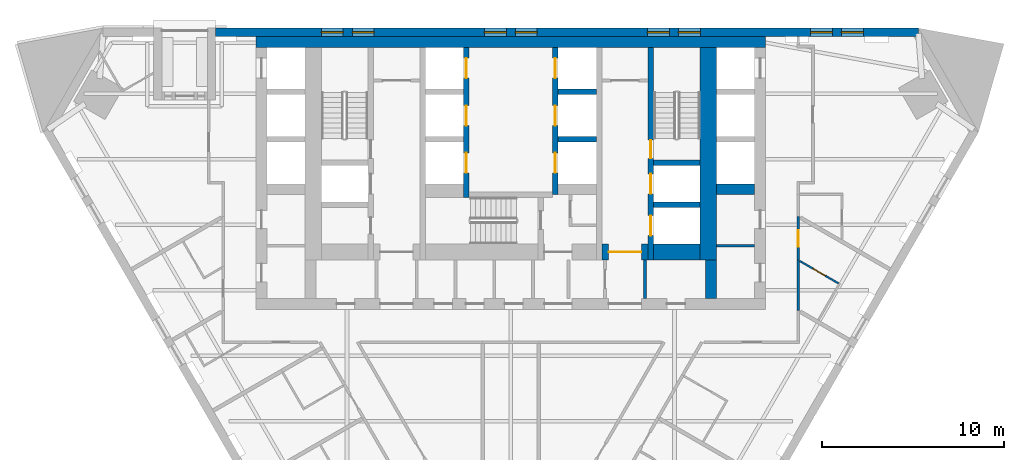
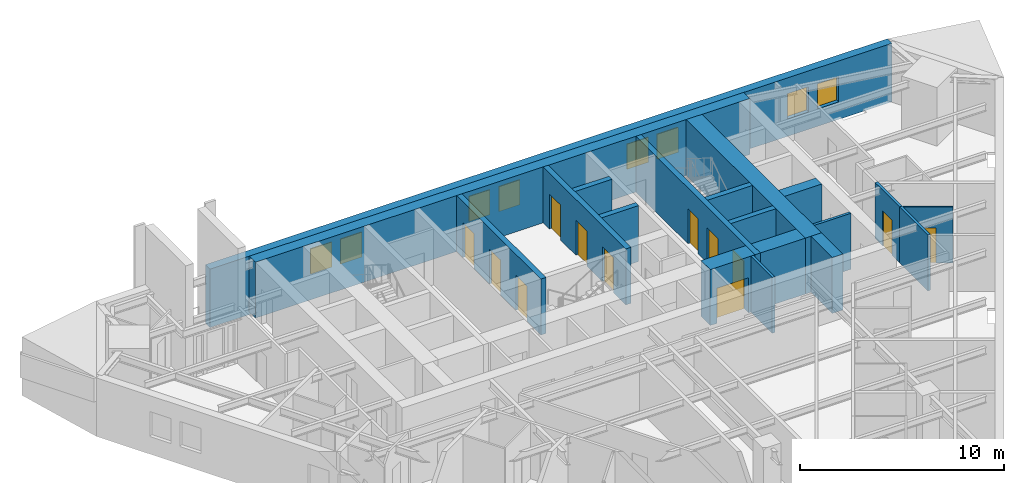
# One storey, part 7 of 10: 19 walls, 12 doors, 8 windows, 20 openings.
"""IFC4 building model written with IfcOpenShell, lengths in metres."""

import ifcopenshell
import ifcopenshell.guid

model = None  # the IFC model being written
_history = None  # IfcOwnerHistory: only IFC2X3 demands one
_inside = {}  # id of a spatial element -> (the spatial element, [elements in it])
_under = {}  # id of a project, library or spatial element -> (it, [spatial elements below it])
_declared = {}  # id of a project -> (the project, [libraries it declares])
_typed = {}  # id of a type object -> (the type object, [elements of that type])
_made_of = {}  # id of a material, layer set ... -> (it, [elements and type objects made of it])


def new_model(schema):
    """Start an empty IFC model of exactly this schema.

    Asked for "IFC4X3", IfcOpenShell would pick the latest addendum, in which some entities
    have other attributes; the version numbers below select the first issue.
    IFC2X3 requires an IfcOwnerHistory on every rooted entity: one is made here for all.
    """
    global model, _history
    if schema == "IFC4X3":
        model = ifcopenshell.file(schema_version=(4, 3, 0, 0))
    else:
        model = ifcopenshell.file(schema=schema)
    _inside.clear()
    _under.clear()
    _declared.clear()
    _typed.clear()
    _made_of.clear()
    _history = None
    if model.schema == "IFC2X3":
        org = make("IfcOrganization", Name="unknown")
        user = make(
            "IfcPersonAndOrganization",
            ThePerson=make("IfcPerson", FamilyName="unknown"),
            TheOrganization=org,
        )
        app = make(
            "IfcApplication",
            ApplicationDeveloper=org,
            Version="unknown",
            ApplicationFullName="unknown",
            ApplicationIdentifier="unknown",
        )
        _history = make(
            "IfcOwnerHistory",
            OwningUser=user,
            OwningApplication=app,
            ChangeAction="ADDED",
            CreationDate=0,
        )
    return model


def make(cls, **values):
    """One entity of the class cls with the attributes given. An attribute that is None is left unset."""
    return model.create_entity(
        cls, **{name: value for name, value in values.items() if value is not None}
    )


def rooted(cls, **values):
    """An entity with a GlobalId (a new one), such as an element, a storey or a relation."""
    return make(cls, GlobalId=ifcopenshell.guid.new(), OwnerHistory=_history, **values)


def si_unit(unit_type, name, prefix=None):
    """IfcSIUnit, for example si_unit("LENGTHUNIT", "METRE", prefix="MILLI")."""
    return make("IfcSIUnit", UnitType=unit_type, Prefix=prefix, Name=name)


def assignment(units):
    """IfcUnitAssignment: the units of a project."""
    return None if units is None else make("IfcUnitAssignment", Units=units)


def point(xyz):
    """IfcCartesianPoint."""
    return None if xyz is None else make("IfcCartesianPoint", Coordinates=xyz)


def direction(xyz):
    """IfcDirection."""
    return None if xyz is None else make("IfcDirection", DirectionRatios=xyz)


def frame(location, z_axis=None, x_axis=None):
    """IfcAxis2Placement3D, a coordinate frame: its origin and axes. An axis left out is left unset."""
    return make(
        "IfcAxis2Placement3D",
        Location=point(location),
        Axis=direction(z_axis),
        RefDirection=direction(x_axis),
    )


def frame_2d(location, x_axis=None):
    """IfcAxis2Placement2D, a coordinate frame in the plane: its origin and x axis."""
    return make(
        "IfcAxis2Placement2D", Location=point(location), RefDirection=direction(x_axis)
    )


def origin():
    """The frame at (0, 0, 0) with its axes left unset."""
    return frame((0.0, 0.0, 0.0))


def place(relative_to, where):
    """IfcLocalPlacement: puts the frame where relative to a parent placement (None: the world)."""
    return make(
        "IfcLocalPlacement", PlacementRelTo=relative_to, RelativePlacement=where
    )


def context(
    kind, dimensions, precision=None, world=None, true_north=None, identifier=None
):
    """IfcGeometricRepresentationContext, for example the 3D "Model" context."""
    return make(
        "IfcGeometricRepresentationContext",
        ContextIdentifier=identifier,
        ContextType=kind,
        CoordinateSpaceDimension=dimensions,
        Precision=precision,
        WorldCoordinateSystem=world,
        TrueNorth=true_north,
    )


def subcontext(parent, identifier, kind, view, scale=None):
    """IfcGeometricRepresentationSubContext, for example "Body" below "Model"."""
    return make(
        "IfcGeometricRepresentationSubContext",
        ContextIdentifier=identifier,
        ContextType=kind,
        ParentContext=parent,
        TargetScale=scale,
        TargetView=view,
    )


def project(units=None, contexts=None):
    """IfcProject with its units and contexts."""
    return rooted(
        "IfcProject",
        Name="project",
        RepresentationContexts=contexts,
        UnitsInContext=assignment(units),
    )


def spatial(cls, under=None, at=None, **own):
    """A site, building, storey or space (cls), placed at a placement, below another one or the project."""
    s = rooted(cls, ObjectPlacement=at, **own)
    if under is not None:
        _under.setdefault(under.id(), (under, []))[1].append(s)
    return s


def polyline(points):
    """IfcPolyline through the points."""
    return make("IfcPolyline", Points=[point(p) for p in points])


def profile(cls, at=None, kind="AREA", **sizes):
    """A parametric profile (cls). Its sizes go by their IFC names, for example OverallWidth=200.0."""
    return make(cls, ProfileType=kind, Position=at, **sizes)


def rectangle(**sizes):
    """IfcRectangleProfileDef."""
    return profile("IfcRectangleProfileDef", **sizes)


def outline(outer, holes=None, kind="AREA"):
    """IfcArbitraryClosedProfileDef: a profile drawn as a closed curve; with holes, ...WithVoids."""
    if holes is None:
        return make("IfcArbitraryClosedProfileDef", ProfileType=kind, OuterCurve=outer)
    return make(
        "IfcArbitraryProfileDefWithVoids",
        ProfileType=kind,
        OuterCurve=outer,
        InnerCurves=holes,
    )


def extrude(swept, where, along, depth):
    """IfcExtrudedAreaSolid: the profile swept, set in the frame where, extruded along a direction by depth."""
    return make(
        "IfcExtrudedAreaSolid",
        SweptArea=swept,
        Position=where,
        ExtrudedDirection=direction(along),
        Depth=depth,
    )


def shape(context_of_items, identifier, shape_type, items):
    """IfcShapeRepresentation: the items that make up one representation, for example the "Body"."""
    return make(
        "IfcShapeRepresentation",
        ContextOfItems=context_of_items,
        RepresentationIdentifier=identifier,
        RepresentationType=shape_type,
        Items=items,
    )


def material(Name=None, Category=None):
    """IfcMaterial."""
    return make("IfcMaterial", Name=Name, Category=Category)


def layer(
    of_material, thickness, ventilated=None, Name=None, Category=None, Priority=None
):
    """IfcMaterialLayer: one layer of a wall or slab, of a material (None: an air gap)."""
    return make(
        "IfcMaterialLayer",
        Material=of_material,
        LayerThickness=thickness,
        IsVentilated=ventilated,
        Name=Name,
        Category=Category,
        Priority=Priority,
    )


def layer_set(layers, Name=None):
    """IfcMaterialLayerSet."""
    return make("IfcMaterialLayerSet", MaterialLayers=layers, LayerSetName=Name)


def made_of(thing, what):
    """Note that an element or type object is made of a material, layer set ...; save() writes the relation."""
    if what is not None:
        _made_of.setdefault(what.id(), (what, []))[1].append(thing)
    return thing


def type_object(cls, material=None, **own):
    """A type object (cls), such as IfcWallType, which elements share."""
    return made_of(rooted(cls, **own), material)


def element(
    cls,
    number,
    at=None,
    inside=None,
    cuts=None,
    type_object=None,
    material=None,
    context=None,
    identifier="Body",
    shape_type=None,
    held_by="IfcProductDefinitionShape",
    body=None,
    shapes=None,
    **own,
):
    """One element of the class cls, such as IfcWall. Its Tag is "e" and its number.

    at: its placement. inside: the storey or other place that contains it. cuts: it is an
    opening in that element (IfcRelVoidsElement). A single representation is given by context,
    identifier, shape_type and body (its items); several are given by shapes. held_by: the class
    of the entity that holds the representations. save() writes the other relations.
    """
    e = rooted(cls, Tag="e%d" % number, ObjectPlacement=at, **own)
    if body is not None:
        shapes = [shape(context, identifier, shape_type, body)]
    if shapes is not None:
        e.Representation = make(held_by, Representations=shapes)
    if inside is not None:
        _inside.setdefault(inside.id(), (inside, []))[1].append(e)
    if cuts is not None:
        rooted(
            "IfcRelVoidsElement", RelatingBuildingElement=cuts, RelatedOpeningElement=e
        )
    if type_object is not None:
        _typed.setdefault(type_object.id(), (type_object, []))[1].append(e)
    return made_of(e, material)


def fill(opening, filler):
    """IfcRelFillsElement: the door or window that sits in an opening."""
    return rooted(
        "IfcRelFillsElement",
        RelatingOpeningElement=opening,
        RelatedBuildingElement=filler,
    )


def aggregate(whole, parts):
    """IfcRelAggregates: a whole, such as a stair, and the parts it consists of."""
    return rooted("IfcRelAggregates", RelatingObject=whole, RelatedObjects=parts)


def save(model, path):
    """Write the relations noted so far, then the file.

    IfcRelAggregates (storeys below a building ...), IfcRelContainedInSpatialStructure (elements
    in a storey), IfcRelDefinesByType, IfcRelAssociatesMaterial and IfcRelDeclares: one each for
    every whole, place, type object, material and project.
    """
    for whole, parts in _under.values():
        aggregate(whole, parts)
    for where, things in _inside.values():
        rooted(
            "IfcRelContainedInSpatialStructure",
            RelatedElements=things,
            RelatingStructure=where,
        )
    for kind, things in _typed.values():
        rooted("IfcRelDefinesByType", RelatedObjects=things, RelatingType=kind)
    for what, things in _made_of.values():
        rooted("IfcRelAssociatesMaterial", RelatedObjects=things, RelatingMaterial=what)
    for by, libraries in _declared.values():
        rooted("IfcRelDeclares", RelatingContext=by, RelatedDefinitions=libraries)
    model.write(path)


model = new_model("IFC4")

# Units and contexts
model_context = context("Model", 3, precision=1e-05, world=origin(), true_north=direction((0.0, 1.0)))
body_context = subcontext(model_context, "Body", "Model", "MODEL_VIEW")
ifc_project = project(units=[si_unit("LENGTHUNIT", "METRE"), si_unit("AREAUNIT", "SQUARE_METRE"), si_unit("VOLUMEUNIT", "CUBIC_METRE"), si_unit("PLANEANGLEUNIT", "RADIAN"), si_unit("MASSUNIT", "GRAM", prefix="KILO")], contexts=[model_context])

# Site, building, storey
site_placement = place(None, origin())
site = spatial("IfcSite", under=ifc_project, at=site_placement, CompositionType="ELEMENT")
building_placement = place(site_placement, origin())
building = spatial("IfcBuilding", under=site, at=building_placement, Name="Aloe Facet Convention Tower", CompositionType="ELEMENT")
storey_placement = place(building_placement, frame((0.0, 0.0, 45.5)))
storey = spatial("IfcBuildingStorey", under=building, at=storey_placement, Name="L09", CompositionType="ELEMENT", Elevation=45.5)

# Walls
ifc_material_1 = material(Name="Concrete blockwork partition", Category="masonry")
ifc_layer_1 = layer(ifc_material_1, 0.14990234375)
ifc_layer_set_1 = layer_set([ifc_layer_1], Name="CR-W-PART150")
wall_type_1 = type_object("IfcWallType", Name="CR-W-PART150", PredefinedType="PARTITIONING", material=ifc_layer_set_1)
wall_1_placement = place(storey_placement, frame((87.375, 122.25, 0.0), z_axis=(0.0, 0.0, 1.0), x_axis=(0.0, -1.0, 0.0)))
element("IfcWall", 1, at=wall_1_placement, inside=storey, type_object=wall_type_1, Name="Core partition L09-041", PredefinedType="PARTITIONING", context=body_context, shape_type="SweptSolid", body=[
    extrude(rectangle(XDim=2.10009765625, YDim=0.14990234375, at=frame_2d((1.050048828125, 0.0))), origin(), (0.0, 0.0, 1.0), 3.35009765625),
])
wall_2_placement = place(storey_placement, frame((91.300048828125, 123.048583984375, 0.0), z_axis=(0.0, 0.0, 1.0), x_axis=(1.0, 0.0, 0.0)))
element("IfcWall", 2, at=wall_2_placement, inside=storey, type_object=wall_type_1, Name="Core partition L09-051", PredefinedType="PARTITIONING", context=body_context, shape_type="SweptSolid", body=[
    extrude(rectangle(XDim=2.099853515625, YDim=0.14990234375, at=frame_2d((1.0498046875, 0.0))), origin(), (0.0, 0.0, 1.0), 3.35009765625),
])

# Wall, openings, doors
ifc_material_2 = material(Name="Concrete C80/95", Category="concrete")
ifc_layer_2 = layer(ifc_material_2, 0.300048828125)
ifc_layer_set_2 = layer_set([ifc_layer_2], Name="CR-W-RC300-C8095")
wall_type_2 = type_object("IfcWallType", Name="CR-W-RC300-C8095", PredefinedType="SOLIDWALL", material=ifc_layer_set_2)
wall_3_placement = place(storey_placement, frame((77.550048828125, 133.949951171875, 0.0), z_axis=(0.0, 0.0, 1.0), x_axis=(0.0, -1.0, 0.0)))
wall_3 = element("IfcWall", 3, at=wall_3_placement, inside=storey, type_object=wall_type_2, Name="Core wall L09-024", PredefinedType="SOLIDWALL", context=body_context, shape_type="SweptSolid", body=[
    extrude(rectangle(XDim=8.25, YDim=0.300048828125, at=frame_2d((4.125, 0.0))), origin(), (0.0, 0.0, 1.0), 3.35009765625),
])
opening_1_placement = place(wall_3_placement, frame((0.60009765625, 0.0, 0.0)))
opening_1 = element("IfcOpeningElement", 4, at=opening_1_placement, cuts=wall_3, Name="Opening LD-A1-L09", PredefinedType="OPENING", context=body_context, shape_type="SweptSolid", body=[
    extrude(rectangle(XDim=1.10009765625, YDim=2.10009765625, at=frame_2d((0.550048828125, 1.050048828125))), frame((0.0, 0.16015625, 0.0), z_axis=(0.0, -1.0, 0.0), x_axis=(1.0, 0.0, 0.0)), (0.0, 0.0, 1.0), 0.320068359375),
])
opening_2_placement = place(wall_3_placement, frame((3.199951171875, 0.0, 0.0)))
opening_2 = element("IfcOpeningElement", 5, at=opening_2_placement, cuts=wall_3, Name="Opening LD-A2-L09", PredefinedType="OPENING", context=body_context, shape_type="SweptSolid", body=[
    extrude(rectangle(XDim=1.10009765625, YDim=2.10009765625, at=frame_2d((0.550048828125, 1.050048828125))), frame((0.0, 0.16015625, 0.0), z_axis=(0.0, -1.0, 0.0), x_axis=(1.0, 0.0, 0.0)), (0.0, 0.0, 1.0), 0.320068359375),
])
opening_3_placement = place(wall_3_placement, frame((5.800048828125, 0.0, 0.0)))
opening_3 = element("IfcOpeningElement", 6, at=opening_3_placement, cuts=wall_3, Name="Opening LD-A3-L09", PredefinedType="OPENING", context=body_context, shape_type="SweptSolid", body=[
    extrude(rectangle(XDim=1.10009765625, YDim=2.10009765625, at=frame_2d((0.550048828125, 1.050048828125))), frame((0.0, 0.16015625, 0.0), z_axis=(0.0, -1.0, 0.0), x_axis=(1.0, 0.0, 0.0)), (0.0, 0.0, 1.0), 0.320068359375),
])
ifc_material_3 = material(Name="Stainless steel sliding landing door", Category="steel")
door_type_1 = type_object("IfcDoorType", Name="CR-LD-1100-FD60-RIGHT", OperationType="SLIDING_TO_RIGHT", PredefinedType="DOOR", material=ifc_material_3)
door_1_placement = place(opening_1_placement, origin())
door_1 = element("IfcDoor", 7, at=door_1_placement, inside=storey, type_object=door_type_1, Name="Landing door A1 L09", OperationType="SLIDING_TO_RIGHT", OverallHeight=2.10009765625, OverallWidth=1.10009765625, PredefinedType="DOOR", context=body_context, shape_type="SweptSolid", body=[
    extrude(rectangle(XDim=1.10009765625, YDim=2.10009765625, at=frame_2d((0.550048828125, 1.050048828125))), frame((0.0, 0.02490234375, 0.0), z_axis=(0.0, -1.0, 0.0), x_axis=(1.0, 0.0, 0.0)), (0.0, 0.0, 1.0), 0.050048828125),
])
fill(opening_1, door_1)
door_2_placement = place(opening_2_placement, origin())
door_2 = element("IfcDoor", 8, at=door_2_placement, inside=storey, type_object=door_type_1, Name="Landing door A2 L09", OperationType="SLIDING_TO_RIGHT", OverallHeight=2.10009765625, OverallWidth=1.10009765625, PredefinedType="DOOR", context=body_context, shape_type="SweptSolid", body=[
    extrude(rectangle(XDim=1.10009765625, YDim=2.10009765625, at=frame_2d((0.550048828125, 1.050048828125))), frame((0.0, 0.02490234375, 0.0), z_axis=(0.0, -1.0, 0.0), x_axis=(1.0, 0.0, 0.0)), (0.0, 0.0, 1.0), 0.050048828125),
])
fill(opening_2, door_2)
door_3_placement = place(opening_3_placement, origin())
door_3 = element("IfcDoor", 9, at=door_3_placement, inside=storey, type_object=door_type_1, Name="Landing door A3 L09", OperationType="SLIDING_TO_RIGHT", OverallHeight=2.10009765625, OverallWidth=1.10009765625, PredefinedType="DOOR", context=body_context, shape_type="SweptSolid", body=[
    extrude(rectangle(XDim=1.10009765625, YDim=2.10009765625, at=frame_2d((0.550048828125, 1.050048828125))), frame((0.0, 0.02490234375, 0.0), z_axis=(0.0, -1.0, 0.0), x_axis=(1.0, 0.0, 0.0)), (0.0, 0.0, 1.0), 0.050048828125),
])
fill(opening_3, door_3)

wall_4_placement = place(storey_placement, frame((82.449951171875, 133.949951171875, 0.0), z_axis=(0.0, 0.0, 1.0), x_axis=(0.0, -1.0, 0.0)))
wall_4 = element("IfcWall", 10, at=wall_4_placement, inside=storey, type_object=wall_type_2, Name="Core wall L09-030", PredefinedType="SOLIDWALL", context=body_context, shape_type="SweptSolid", body=[
    extrude(rectangle(XDim=8.099853515625, YDim=0.300048828125, at=frame_2d((4.0498046875, 0.0))), origin(), (0.0, 0.0, 1.0), 3.35009765625),
])
opening_4_placement = place(wall_4_placement, frame((0.60009765625, 0.0, 0.0)))
opening_4 = element("IfcOpeningElement", 11, at=opening_4_placement, cuts=wall_4, Name="Opening LD-A4-L09", PredefinedType="OPENING", context=body_context, shape_type="SweptSolid", body=[
    extrude(rectangle(XDim=1.10009765625, YDim=2.10009765625, at=frame_2d((0.550048828125, 1.050048828125))), frame((0.0, 0.16015625, 0.0), z_axis=(0.0, -1.0, 0.0), x_axis=(1.0, 0.0, 0.0)), (0.0, 0.0, 1.0), 0.320068359375),
])
opening_5_placement = place(wall_4_placement, frame((3.199951171875, 0.0, 0.0)))
opening_5 = element("IfcOpeningElement", 12, at=opening_5_placement, cuts=wall_4, Name="Opening LD-A5-L09", PredefinedType="OPENING", context=body_context, shape_type="SweptSolid", body=[
    extrude(rectangle(XDim=1.10009765625, YDim=2.10009765625, at=frame_2d((0.550048828125, 1.050048828125))), frame((0.0, 0.16015625, 0.0), z_axis=(0.0, -1.0, 0.0), x_axis=(1.0, 0.0, 0.0)), (0.0, 0.0, 1.0), 0.320068359375),
])
opening_6_placement = place(wall_4_placement, frame((5.800048828125, 0.0, 0.0)))
opening_6 = element("IfcOpeningElement", 13, at=opening_6_placement, cuts=wall_4, Name="Opening LD-A6-L09", PredefinedType="OPENING", context=body_context, shape_type="SweptSolid", body=[
    extrude(rectangle(XDim=1.10009765625, YDim=2.10009765625, at=frame_2d((0.550048828125, 1.050048828125))), frame((0.0, 0.16015625, 0.0), z_axis=(0.0, -1.0, 0.0), x_axis=(1.0, 0.0, 0.0)), (0.0, 0.0, 1.0), 0.320068359375),
])
ifc_material_4 = material(Name="Stainless steel sliding landing door", Category="steel")
door_type_2 = type_object("IfcDoorType", Name="CR-LD-1100-FD60-_LEFT", OperationType="SLIDING_TO_LEFT", PredefinedType="DOOR", material=ifc_material_4)
door_4_placement = place(opening_4_placement, origin())
door_4 = element("IfcDoor", 14, at=door_4_placement, inside=storey, type_object=door_type_2, Name="Landing door A4 L09", OperationType="SLIDING_TO_LEFT", OverallHeight=2.10009765625, OverallWidth=1.10009765625, PredefinedType="DOOR", context=body_context, shape_type="SweptSolid", body=[
    extrude(rectangle(XDim=1.10009765625, YDim=2.10009765625, at=frame_2d((0.550048828125, 1.050048828125))), frame((0.0, 0.02490234375, 0.0), z_axis=(0.0, -1.0, 0.0), x_axis=(1.0, 0.0, 0.0)), (0.0, 0.0, 1.0), 0.050048828125),
])
fill(opening_4, door_4)
door_5_placement = place(opening_5_placement, origin())
door_5 = element("IfcDoor", 15, at=door_5_placement, inside=storey, type_object=door_type_2, Name="Landing door A5 L09", OperationType="SLIDING_TO_LEFT", OverallHeight=2.10009765625, OverallWidth=1.10009765625, PredefinedType="DOOR", context=body_context, shape_type="SweptSolid", body=[
    extrude(rectangle(XDim=1.10009765625, YDim=2.10009765625, at=frame_2d((0.550048828125, 1.050048828125))), frame((0.0, 0.02490234375, 0.0), z_axis=(0.0, -1.0, 0.0), x_axis=(1.0, 0.0, 0.0)), (0.0, 0.0, 1.0), 0.050048828125),
])
fill(opening_5, door_5)
door_6_placement = place(opening_6_placement, origin())
door_6 = element("IfcDoor", 16, at=door_6_placement, inside=storey, type_object=door_type_2, Name="Landing door A6 L09", OperationType="SLIDING_TO_LEFT", OverallHeight=2.10009765625, OverallWidth=1.10009765625, PredefinedType="DOOR", context=body_context, shape_type="SweptSolid", body=[
    extrude(rectangle(XDim=1.10009765625, YDim=2.10009765625, at=frame_2d((0.550048828125, 1.050048828125))), frame((0.0, 0.02490234375, 0.0), z_axis=(0.0, -1.0, 0.0), x_axis=(1.0, 0.0, 0.0)), (0.0, 0.0, 1.0), 0.050048828125),
])
fill(opening_6, door_6)

# Walls
for number, where, z_axis, x_axis, name in (
    (17, (82.60009765625, 131.5, 0.0), (0.0, 0.0, 1.0), (1.0, 0.0, 0.0), "Core wall L09-031"),
    (18, (82.60009765625, 128.89990234375, 0.0), (0.0, 0.0, 1.0), (1.0, 0.0, 0.0), "Core wall L09-032"),
):
    element("IfcWall", number, at=place(storey_placement, frame(where, z_axis=z_axis, x_axis=x_axis)), inside=storey, type_object=wall_type_2, Name=name, PredefinedType="SOLIDWALL", context=body_context, shape_type="SweptSolid", body=[
        extrude(rectangle(XDim=2.099853515625, YDim=0.300048828125, at=frame_2d((1.0498046875, 0.0))), origin(), (0.0, 0.0, 1.0), 3.35009765625),
    ])

# Wall, openings, doors
wall_5_placement = place(storey_placement, frame((87.699951171875, 133.949951171875, 0.0), z_axis=(0.0, 0.0, 1.0), x_axis=(0.0, -1.0, 0.0)))
wall_5 = element("IfcWall", 19, at=wall_5_placement, inside=storey, type_object=wall_type_2, Name="Core wall L09-042", PredefinedType="SOLIDWALL", context=body_context, shape_type="SweptSolid", body=[
    extrude(rectangle(XDim=11.699951171875, YDim=0.300048828125, at=frame_2d((5.85009765625, 0.0))), origin(), (0.0, 0.0, 1.0), 3.35009765625),
])
opening_7_placement = place(wall_5_placement, frame((6.949951171875, 0.0, 0.0)))
opening_7 = element("IfcOpeningElement", 20, at=opening_7_placement, cuts=wall_5, Name="Opening LD-FF2-L09", PredefinedType="OPENING", context=body_context, shape_type="SweptSolid", body=[
    extrude(rectangle(XDim=1.10009765625, YDim=2.10009765625, at=frame_2d((0.550048828125, 1.050048828125))), frame((0.0, 0.16015625, 0.0), z_axis=(0.0, -1.0, 0.0), x_axis=(1.0, 0.0, 0.0)), (0.0, 0.0, 1.0), 0.320068359375),
])
opening_8_placement = place(wall_5_placement, frame((5.10009765625, 0.0, 0.0)))
opening_8 = element("IfcOpeningElement", 21, at=opening_8_placement, cuts=wall_5, Name="Opening L09-CD30", PredefinedType="OPENING", context=body_context, shape_type="SweptSolid", body=[
    extrude(rectangle(XDim=1.0, YDim=2.10009765625, at=frame_2d((0.5, 1.050048828125))), frame((0.0, 0.16015625, 0.0), z_axis=(0.0, -1.0, 0.0), x_axis=(1.0, 0.0, 0.0)), (0.0, 0.0, 1.0), 0.320068359375),
])
opening_9_placement = place(wall_5_placement, frame((9.25, 0.0, 0.0)))
opening_9 = element("IfcOpeningElement", 22, at=opening_9_placement, cuts=wall_5, Name="Opening LD-SV1-L09", PredefinedType="OPENING", context=body_context, shape_type="SweptSolid", body=[
    extrude(rectangle(XDim=1.10009765625, YDim=2.10009765625, at=frame_2d((0.550048828125, 1.050048828125))), frame((0.0, 0.16015625, 0.0), z_axis=(0.0, -1.0, 0.0), x_axis=(1.0, 0.0, 0.0)), (0.0, 0.0, 1.0), 0.320068359375),
])
ifc_material_5 = material(Name="Steel fire-resisting door set FD120", Category="steel")
door_type_3 = type_object("IfcDoorType", Name="CR-D-STAIR-1000-FD120-SLEFT", OperationType="SINGLE_SWING_LEFT", PredefinedType="DOOR", material=ifc_material_5)
door_7_placement = place(opening_8_placement, origin())
door_7 = element("IfcDoor", 23, at=door_7_placement, inside=storey, type_object=door_type_3, Name="Core door L09-CD30", OperationType="SINGLE_SWING_LEFT", OverallHeight=2.10009765625, OverallWidth=1.0, PredefinedType="DOOR", context=body_context, shape_type="SweptSolid", body=[
    extrude(rectangle(XDim=1.0, YDim=2.10009765625, at=frame_2d((0.5, 1.050048828125))), frame((0.0, 0.02490234375, 0.0), z_axis=(0.0, -1.0, 0.0), x_axis=(1.0, 0.0, 0.0)), (0.0, 0.0, 1.0), 0.050048828125),
])
fill(opening_8, door_7)
ifc_material_6 = material(Name="Stainless steel sliding landing door", Category="steel")
door_type_4 = type_object("IfcDoorType", Name="CR-LD-1100-FD120-_LEFT", OperationType="SLIDING_TO_LEFT", PredefinedType="DOOR", material=ifc_material_6)
door_8_placement = place(opening_7_placement, origin())
door_8 = element("IfcDoor", 24, at=door_8_placement, inside=storey, type_object=door_type_4, Name="Landing door FF2 L09", OperationType="SLIDING_TO_LEFT", OverallHeight=2.10009765625, OverallWidth=1.10009765625, PredefinedType="DOOR", context=body_context, shape_type="SweptSolid", body=[
    extrude(rectangle(XDim=1.10009765625, YDim=2.10009765625, at=frame_2d((0.550048828125, 1.050048828125))), frame((0.0, 0.02490234375, 0.0), z_axis=(0.0, -1.0, 0.0), x_axis=(1.0, 0.0, 0.0)), (0.0, 0.0, 1.0), 0.050048828125),
])
fill(opening_7, door_8)
door_9_placement = place(opening_9_placement, origin())
door_9 = element("IfcDoor", 25, at=door_9_placement, inside=storey, type_object=door_type_4, Name="Landing door SV1 L09", OperationType="SLIDING_TO_LEFT", OverallHeight=2.10009765625, OverallWidth=1.10009765625, PredefinedType="DOOR", context=body_context, shape_type="SweptSolid", body=[
    extrude(rectangle(XDim=1.10009765625, YDim=2.10009765625, at=frame_2d((0.550048828125, 1.050048828125))), frame((0.0, 0.02490234375, 0.0), z_axis=(0.0, -1.0, 0.0), x_axis=(1.0, 0.0, 0.0)), (0.0, 0.0, 1.0), 0.050048828125),
])
fill(opening_9, door_9)

# Walls
for number, where, z_axis, x_axis, name in (
    (26, (87.85009765625, 127.60009765625, 0.0), (0.0, 0.0, 1.0), (1.0, 0.0, 0.0), "Core wall L09-043"),
    (27, (87.85009765625, 125.300048828125, 0.0), (0.0, 0.0, 1.0), (1.0, 0.0, 0.0), "Core wall L09-044"),
):
    element("IfcWall", number, at=place(storey_placement, frame(where, z_axis=z_axis, x_axis=x_axis)), inside=storey, type_object=wall_type_2, Name=name, PredefinedType="SOLIDWALL", context=body_context, shape_type="SweptSolid", body=[
        extrude(rectangle(XDim=2.5498046875, YDim=0.300048828125, at=frame_2d((1.27490234375, 0.0))), origin(), (0.0, 0.0, 1.0), 3.35009765625),
    ])
ifc_material_7 = material(Name="Concrete C80/95", Category="concrete")
ifc_layer_3 = layer(ifc_material_7, 0.60009765625)
ifc_layer_set_3 = layer_set([ifc_layer_3], Name="CR-W-RC600-C8095")
wall_type_3 = type_object("IfcWallType", Name="CR-W-RC600-C8095", PredefinedType="SOLIDWALL", material=ifc_layer_set_3)
wall_6_placement = place(storey_placement, frame((66.0, 134.25, 0.0), z_axis=(0.0, 0.0, 1.0), x_axis=(1.0, 0.0, 0.0)))
element("IfcWall", 28, at=wall_6_placement, inside=storey, type_object=wall_type_3, Name="Core wall L09-001", PredefinedType="SOLIDWALL", context=body_context, shape_type="SweptSolid", body=[
    extrude(rectangle(XDim=28.0, YDim=0.60009765625, at=frame_2d((14.0, 0.0))), origin(), (0.0, 0.0, 1.0), 3.35009765625),
])
wall_7_placement = place(storey_placement, frame((91.0, 122.25, 0.0), z_axis=(0.0, 0.0, 1.0), x_axis=(0.0, -1.0, 0.0)))
element("IfcWall", 29, at=wall_7_placement, inside=storey, type_object=wall_type_3, Name="Core wall L09-047", PredefinedType="SOLIDWALL", context=body_context, shape_type="SweptSolid", body=[
    extrude(rectangle(XDim=2.10009765625, YDim=0.60009765625, at=frame_2d((1.050048828125, 0.0))), origin(), (0.0, 0.0, 1.0), 3.35009765625),
])
wall_8_placement = place(storey_placement, frame((91.300048828125, 126.14990234375, 0.0), z_axis=(0.0, 0.0, 1.0), x_axis=(1.0, 0.0, 0.0)))
element("IfcWall", 30, at=wall_8_placement, inside=storey, type_object=wall_type_3, Name="Core wall L09-050", PredefinedType="SOLIDWALL", context=body_context, shape_type="SweptSolid", body=[
    extrude(rectangle(XDim=2.099853515625, YDim=0.60009765625, at=frame_2d((1.0498046875, 0.0))), origin(), (0.0, 0.0, 1.0), 3.35009765625),
])

# Wall, opening, door
ifc_material_8 = material(Name="Concrete C80/95", Category="concrete")
ifc_layer_4 = layer(ifc_material_8, 0.89990234375)
ifc_layer_set_4 = layer_set([ifc_layer_4], Name="CR-W-RC900-C8095")
wall_type_4 = type_object("IfcWallType", Name="CR-W-RC900-C8095", PredefinedType="SOLIDWALL", material=ifc_layer_set_4)
wall_9_placement = place(storey_placement, frame((85.0, 122.699951171875, 0.0), z_axis=(0.0, 0.0, 1.0), x_axis=(1.0, 0.0, 0.0)))
wall_9 = element("IfcWall", 31, at=wall_9_placement, inside=storey, type_object=wall_type_4, Name="Core wall L09-039", PredefinedType="SOLIDWALL", context=body_context, shape_type="SweptSolid", body=[
    extrude(rectangle(XDim=2.550048828125, YDim=0.89990234375, at=frame_2d((1.27490234375, 0.0))), origin(), (0.0, 0.0, 1.0), 3.35009765625),
])
opening_10_placement = place(wall_9_placement, frame((0.375, 0.0, 0.0)))
opening_10 = element("IfcOpeningElement", 32, at=opening_10_placement, cuts=wall_9, Name="Opening L09-CD13", PredefinedType="OPENING", context=body_context, shape_type="SweptSolid", body=[
    extrude(rectangle(XDim=1.800048828125, YDim=2.10009765625, at=frame_2d((0.89990234375, 1.050048828125))), frame((0.0, 0.4599609375, 0.0), z_axis=(0.0, -1.0, 0.0), x_axis=(1.0, 0.0, 0.0)), (0.0, 0.0, 1.0), 0.919921875),
])
ifc_material_9 = material(Name="Steel fire-resisting door set FD120", Category="steel")
door_type_5 = type_object("IfcDoorType", Name="CR-D-EXIT-1800-FD120-DD", OperationType="DOUBLE_DOOR_DOUBLE_SWING", PredefinedType="DOOR", material=ifc_material_9)
door_10_placement = place(opening_10_placement, origin())
door_10 = element("IfcDoor", 33, at=door_10_placement, inside=storey, type_object=door_type_5, Name="Core door L09-CD13", OperationType="DOUBLE_DOOR_DOUBLE_SWING", OverallHeight=2.10009765625, OverallWidth=1.800048828125, PredefinedType="DOOR", context=body_context, shape_type="SweptSolid", body=[
    extrude(rectangle(XDim=1.800048828125, YDim=2.10009765625, at=frame_2d((0.89990234375, 1.050048828125))), frame((0.0, 0.02490234375, 0.0), z_axis=(0.0, -1.0, 0.0), x_axis=(1.0, 0.0, 0.0)), (0.0, 0.0, 1.0), 0.050048828125),
])
fill(opening_10, door_10)

# Walls
wall_10_placement = place(storey_placement, frame((87.85009765625, 122.699951171875, 0.0), z_axis=(0.0, 0.0, 1.0), x_axis=(1.0, 0.0, 0.0)))
element("IfcWall", 34, at=wall_10_placement, inside=storey, type_object=wall_type_4, Name="Core wall L09-045", PredefinedType="SOLIDWALL", context=body_context, shape_type="SweptSolid", body=[
    extrude(rectangle(XDim=2.5498046875, YDim=0.89990234375, at=frame_2d((1.27490234375, 0.0))), origin(), (0.0, 0.0, 1.0), 3.35009765625),
])
wall_11_placement = place(storey_placement, frame((90.85009765625, 133.949951171875, 0.0), z_axis=(0.0, 0.0, 1.0), x_axis=(0.0, -1.0, 0.0)))
element("IfcWall", 35, at=wall_11_placement, inside=storey, type_object=wall_type_4, Name="Core wall L09-046", PredefinedType="SOLIDWALL", context=body_context, shape_type="SweptSolid", body=[
    extrude(rectangle(XDim=11.699951171875, YDim=0.89990234375, at=frame_2d((5.85009765625, 0.0))), origin(), (0.0, 0.0, 1.0), 3.35009765625),
])

# Wall, openings, windows
ifc_material_10 = material(Name="Precast concrete C40/50", Category="concrete")
ifc_layer_5 = layer(ifc_material_10, 0.449951171875)
ifc_layer_set_5 = layer_set([ifc_layer_5], Name="EV-WALL-STONE")
wall_type_5 = type_object("IfcWallType", Name="EV-WALL-STONE", PredefinedType="SOLIDWALL", material=ifc_layer_set_5)
wall_12_placement = place(storey_placement, frame((102.39990234375, 134.77490234375, -0.14990234375), z_axis=(0.0, 0.0, 1.0), x_axis=(-1.0, 0.0, 0.0)))
wall_12 = element("IfcWall", 36, at=wall_12_placement, inside=storey, type_object=wall_type_5, Name="EW-L09-N01", PredefinedType="SOLIDWALL", context=body_context, shape_type="SweptSolid", body=[
    extrude(outline(polyline([(0.0, 0.0), (0.0, 3.5), (38.6201171875, 3.5), (38.6201171875, 0.0), (0.0, 0.0)])), frame((0.0, 0.22509765625, 0.0), z_axis=(0.0, -1.0, 0.0), x_axis=(1.0, 0.0, 0.0)), (0.0, 0.0, 1.0), 0.449951171875),
])
opening_11_placement = place(wall_12_placement, frame((3.030029296875, 0.0, 1.050048828125)))
opening_11 = element("IfcOpeningElement", 37, at=opening_11_placement, cuts=wall_12, Name="Opening W-L09-N01", PredefinedType="OPENING", context=body_context, shape_type="SweptSolid", body=[
    extrude(rectangle(XDim=1.199951171875, YDim=1.5, at=frame_2d((0.60009765625, 0.75))), frame((0.0, 0.23486328125, 0.0), z_axis=(0.0, -1.0, 0.0), x_axis=(1.0, 0.0, 0.0)), (0.0, 0.0, 1.0), 0.469970703125),
])
opening_12_placement = place(wall_12_placement, frame((4.72998046875, 0.0, 1.050048828125)))
opening_12 = element("IfcOpeningElement", 38, at=opening_12_placement, cuts=wall_12, Name="Opening W-L09-N02", PredefinedType="OPENING", context=body_context, shape_type="SweptSolid", body=[
    extrude(rectangle(XDim=1.199951171875, YDim=1.5, at=frame_2d((0.60009765625, 0.75))), frame((0.0, 0.23486328125, 0.0), z_axis=(0.0, -1.0, 0.0), x_axis=(1.0, 0.0, 0.0)), (0.0, 0.0, 1.0), 0.469970703125),
])
opening_13_placement = place(wall_12_placement, frame((11.989990234375, 0.0, 1.050048828125)))
opening_13 = element("IfcOpeningElement", 39, at=opening_13_placement, cuts=wall_12, Name="Opening W-L09-N03", PredefinedType="OPENING", context=body_context, shape_type="SweptSolid", body=[
    extrude(rectangle(XDim=1.199951171875, YDim=1.5, at=frame_2d((0.60009765625, 0.75))), frame((0.0, 0.23486328125, 0.0), z_axis=(0.0, -1.0, 0.0), x_axis=(1.0, 0.0, 0.0)), (0.0, 0.0, 1.0), 0.469970703125),
])
opening_14_placement = place(wall_12_placement, frame((13.68994140625, 0.0, 1.050048828125)))
opening_14 = element("IfcOpeningElement", 40, at=opening_14_placement, cuts=wall_12, Name="Opening W-L09-N04", PredefinedType="OPENING", context=body_context, shape_type="SweptSolid", body=[
    extrude(rectangle(XDim=1.199951171875, YDim=1.5, at=frame_2d((0.60009765625, 0.75))), frame((0.0, 0.23486328125, 0.0), z_axis=(0.0, -1.0, 0.0), x_axis=(1.0, 0.0, 0.0)), (0.0, 0.0, 1.0), 0.469970703125),
])
opening_15_placement = place(wall_12_placement, frame((20.949951171875, 0.0, 1.050048828125)))
opening_15 = element("IfcOpeningElement", 41, at=opening_15_placement, cuts=wall_12, Name="Opening W-L09-N05", PredefinedType="OPENING", context=body_context, shape_type="SweptSolid", body=[
    extrude(rectangle(XDim=1.199951171875, YDim=1.5, at=frame_2d((0.60009765625, 0.75))), frame((0.0, 0.23486328125, 0.0), z_axis=(0.0, -1.0, 0.0), x_axis=(1.0, 0.0, 0.0)), (0.0, 0.0, 1.0), 0.469970703125),
])
opening_16_placement = place(wall_12_placement, frame((22.64990234375, 0.0, 1.050048828125)))
opening_16 = element("IfcOpeningElement", 42, at=opening_16_placement, cuts=wall_12, Name="Opening W-L09-N06", PredefinedType="OPENING", context=body_context, shape_type="SweptSolid", body=[
    extrude(rectangle(XDim=1.199951171875, YDim=1.5, at=frame_2d((0.60009765625, 0.75))), frame((0.0, 0.23486328125, 0.0), z_axis=(0.0, -1.0, 0.0), x_axis=(1.0, 0.0, 0.0)), (0.0, 0.0, 1.0), 0.469970703125),
])
opening_17_placement = place(wall_12_placement, frame((29.909912109375, 0.0, 1.050048828125)))
opening_17 = element("IfcOpeningElement", 43, at=opening_17_placement, cuts=wall_12, Name="Opening W-L09-N07", PredefinedType="OPENING", context=body_context, shape_type="SweptSolid", body=[
    extrude(rectangle(XDim=1.199951171875, YDim=1.5, at=frame_2d((0.60009765625, 0.75))), frame((0.0, 0.23486328125, 0.0), z_axis=(0.0, -1.0, 0.0), x_axis=(1.0, 0.0, 0.0)), (0.0, 0.0, 1.0), 0.469970703125),
])
opening_18_placement = place(wall_12_placement, frame((31.610107421875, 0.0, 1.050048828125)))
opening_18 = element("IfcOpeningElement", 44, at=opening_18_placement, cuts=wall_12, Name="Opening W-L09-N08", PredefinedType="OPENING", context=body_context, shape_type="SweptSolid", body=[
    extrude(rectangle(XDim=1.199951171875, YDim=1.5, at=frame_2d((0.60009765625, 0.75))), frame((0.0, 0.23486328125, 0.0), z_axis=(0.0, -1.0, 0.0), x_axis=(1.0, 0.0, 0.0)), (0.0, 0.0, 1.0), 0.469970703125),
])
ifc_material_11 = material(Name="Aluminium frame, clear double glazing", Category="aluminium")
window_type = type_object("IfcWindowType", Name="EV-WIN-H12", PartitioningType="SINGLE_PANEL", PredefinedType="WINDOW", material=ifc_material_11)
window_1_placement = place(opening_11_placement, origin())
window_1 = element("IfcWindow", 45, at=window_1_placement, inside=storey, type_object=window_type, Name="W-L09-N01", OverallHeight=1.5, OverallWidth=1.199951171875, PartitioningType="SINGLE_PANEL", PredefinedType="WINDOW", context=body_context, shape_type="SweptSolid", body=[
    extrude(rectangle(XDim=1.199951171875, YDim=1.5, at=frame_2d((0.60009765625, 0.75))), frame((0.0, 0.030029296875, 0.0), z_axis=(0.0, -1.0, 0.0), x_axis=(1.0, 0.0, 0.0)), (0.0, 0.0, 1.0), 0.06005859375),
])
fill(opening_11, window_1)
window_2_placement = place(opening_12_placement, origin())
window_2 = element("IfcWindow", 46, at=window_2_placement, inside=storey, type_object=window_type, Name="W-L09-N02", OverallHeight=1.5, OverallWidth=1.199951171875, PartitioningType="SINGLE_PANEL", PredefinedType="WINDOW", context=body_context, shape_type="SweptSolid", body=[
    extrude(rectangle(XDim=1.199951171875, YDim=1.5, at=frame_2d((0.60009765625, 0.75))), frame((0.0, 0.030029296875, 0.0), z_axis=(0.0, -1.0, 0.0), x_axis=(1.0, 0.0, 0.0)), (0.0, 0.0, 1.0), 0.06005859375),
])
fill(opening_12, window_2)
window_3_placement = place(opening_13_placement, origin())
window_3 = element("IfcWindow", 47, at=window_3_placement, inside=storey, type_object=window_type, Name="W-L09-N03", OverallHeight=1.5, OverallWidth=1.199951171875, PartitioningType="SINGLE_PANEL", PredefinedType="WINDOW", context=body_context, shape_type="SweptSolid", body=[
    extrude(rectangle(XDim=1.199951171875, YDim=1.5, at=frame_2d((0.60009765625, 0.75))), frame((0.0, 0.030029296875, 0.0), z_axis=(0.0, -1.0, 0.0), x_axis=(1.0, 0.0, 0.0)), (0.0, 0.0, 1.0), 0.06005859375),
])
fill(opening_13, window_3)
window_4_placement = place(opening_14_placement, origin())
window_4 = element("IfcWindow", 48, at=window_4_placement, inside=storey, type_object=window_type, Name="W-L09-N04", OverallHeight=1.5, OverallWidth=1.199951171875, PartitioningType="SINGLE_PANEL", PredefinedType="WINDOW", context=body_context, shape_type="SweptSolid", body=[
    extrude(rectangle(XDim=1.199951171875, YDim=1.5, at=frame_2d((0.60009765625, 0.75))), frame((0.0, 0.030029296875, 0.0), z_axis=(0.0, -1.0, 0.0), x_axis=(1.0, 0.0, 0.0)), (0.0, 0.0, 1.0), 0.06005859375),
])
fill(opening_14, window_4)
window_5_placement = place(opening_15_placement, origin())
window_5 = element("IfcWindow", 49, at=window_5_placement, inside=storey, type_object=window_type, Name="W-L09-N05", OverallHeight=1.5, OverallWidth=1.199951171875, PartitioningType="SINGLE_PANEL", PredefinedType="WINDOW", context=body_context, shape_type="SweptSolid", body=[
    extrude(rectangle(XDim=1.199951171875, YDim=1.5, at=frame_2d((0.60009765625, 0.75))), frame((0.0, 0.030029296875, 0.0), z_axis=(0.0, -1.0, 0.0), x_axis=(1.0, 0.0, 0.0)), (0.0, 0.0, 1.0), 0.06005859375),
])
fill(opening_15, window_5)
window_6_placement = place(opening_16_placement, origin())
window_6 = element("IfcWindow", 50, at=window_6_placement, inside=storey, type_object=window_type, Name="W-L09-N06", OverallHeight=1.5, OverallWidth=1.199951171875, PartitioningType="SINGLE_PANEL", PredefinedType="WINDOW", context=body_context, shape_type="SweptSolid", body=[
    extrude(rectangle(XDim=1.199951171875, YDim=1.5, at=frame_2d((0.60009765625, 0.75))), frame((0.0, 0.030029296875, 0.0), z_axis=(0.0, -1.0, 0.0), x_axis=(1.0, 0.0, 0.0)), (0.0, 0.0, 1.0), 0.06005859375),
])
fill(opening_16, window_6)
window_7_placement = place(opening_17_placement, origin())
window_7 = element("IfcWindow", 51, at=window_7_placement, inside=storey, type_object=window_type, Name="W-L09-N07", OverallHeight=1.5, OverallWidth=1.199951171875, PartitioningType="SINGLE_PANEL", PredefinedType="WINDOW", context=body_context, shape_type="SweptSolid", body=[
    extrude(rectangle(XDim=1.199951171875, YDim=1.5, at=frame_2d((0.60009765625, 0.75))), frame((0.0, 0.030029296875, 0.0), z_axis=(0.0, -1.0, 0.0), x_axis=(1.0, 0.0, 0.0)), (0.0, 0.0, 1.0), 0.06005859375),
])
fill(opening_17, window_7)
window_8_placement = place(opening_18_placement, origin())
window_8 = element("IfcWindow", 52, at=window_8_placement, inside=storey, type_object=window_type, Name="W-L09-N08", OverallHeight=1.5, OverallWidth=1.199951171875, PartitioningType="SINGLE_PANEL", PredefinedType="WINDOW", context=body_context, shape_type="SweptSolid", body=[
    extrude(rectangle(XDim=1.199951171875, YDim=1.5, at=frame_2d((0.60009765625, 0.75))), frame((0.0, 0.030029296875, 0.0), z_axis=(0.0, -1.0, 0.0), x_axis=(1.0, 0.0, 0.0)), (0.0, 0.0, 1.0), 0.06005859375),
])
fill(opening_18, window_8)

# Wall
ifc_material_12 = material(Name="Gypsum board partition on steel studs", Category="steel")
ifc_layer_6 = layer(ifc_material_12, 0.14990234375)
ifc_layer_set_6 = layer_set([ifc_layer_6], Name="IN-W-CORR")
wall_type_6 = type_object("IfcWallType", Name="IN-W-CORR", PredefinedType="PARTITIONING", material=ifc_layer_set_6)
wall_13_placement = place(storey_placement, frame((95.800048828125, 119.480712890625, 0.0), z_axis=(0.0, 0.0, 1.0), x_axis=(0.0, 1.0, 0.0)))
element("IfcWall", 53, at=wall_13_placement, inside=storey, type_object=wall_type_6, Name="Partition L09-W078", PredefinedType="PARTITIONING", context=body_context, shape_type="SweptSolid", body=[
    extrude(rectangle(XDim=2.771484375, YDim=0.14990234375, at=frame_2d((1.3857421875, 0.0))), origin(), (0.0, 0.0, 1.0), 3.35009765625),
])

# Wall, opening, door
wall_14_placement = place(storey_placement, frame((95.800048828125, 122.252197265625, 0.0), z_axis=(0.0, 0.0, 1.0), x_axis=(0.0, 1.0, 0.0)))
wall_14 = element("IfcWall", 54, at=wall_14_placement, inside=storey, type_object=wall_type_6, Name="Partition L09-W092", PredefinedType="PARTITIONING", context=body_context, shape_type="SweptSolid", body=[
    extrude(rectangle(XDim=2.401611328125, YDim=0.14990234375, at=frame_2d((1.20068359375, 0.0))), origin(), (0.0, 0.0, 1.0), 3.35009765625),
])
opening_19_placement = place(wall_14_placement, frame((0.7509765625, 0.0, 0.0)))
opening_19 = element("IfcOpeningElement", 55, at=opening_19_placement, cuts=wall_14, Name="Opening L09-012", PredefinedType="OPENING", context=body_context, shape_type="SweptSolid", body=[
    extrude(rectangle(XDim=0.89990234375, YDim=2.10009765625, at=frame_2d((0.449951171875, 1.050048828125))), frame((0.0, 0.0849609375, 0.0), z_axis=(0.0, -1.0, 0.0), x_axis=(1.0, 0.0, 0.0)), (0.0, 0.0, 1.0), 0.169921875),
])
ifc_material_13 = material(Name="Hardwood flush door FD30S", Category="wood")
door_type_6 = type_object("IfcDoorType", Name="IN-D-GUEST", OperationType="SINGLE_SWING_LEFT", PredefinedType="DOOR", material=ifc_material_13)
door_11_placement = place(opening_19_placement, origin())
door_11 = element("IfcDoor", 56, at=door_11_placement, inside=storey, type_object=door_type_6, Name="Door L09-012", OperationType="SINGLE_SWING_LEFT", OverallHeight=2.10009765625, OverallWidth=0.89990234375, PredefinedType="DOOR", context=body_context, shape_type="SweptSolid", body=[
    extrude(rectangle(XDim=0.89990234375, YDim=2.10009765625, at=frame_2d((0.449951171875, 1.050048828125))), frame((0.0, 0.02490234375, 0.0), z_axis=(0.0, -1.0, 0.0), x_axis=(1.0, 0.0, 0.0)), (0.0, 0.0, 1.0), 0.050048828125),
])
fill(opening_19, door_11)

ifc_material_14 = material(Name="Gypsum board partition on steel studs", Category="steel")
ifc_layer_7 = layer(ifc_material_14, 0.10009765625)
ifc_layer_set_7 = layer_set([ifc_layer_7], Name="IN-W-PART")
wall_type_7 = type_object("IfcWallType", Name="IN-W-PART", PredefinedType="PARTITIONING", material=ifc_layer_set_7)
wall_15_placement = place(storey_placement, frame((95.88232421875, 122.20458984375, 0.0), z_axis=(0.0, 0.0, 1.0), x_axis=(0.866006720078, -0.500032359733, 0.0)))
wall_15 = element("IfcWall", 57, at=wall_15_placement, inside=storey, type_object=wall_type_7, Name="Partition L09-W083", PredefinedType="PARTITIONING", context=body_context, shape_type="SweptSolid", body=[
    extrude(rectangle(XDim=2.454833984375, YDim=0.10009765625, at=frame_2d((1.2275390625, 0.0))), origin(), (0.0, 0.0, 1.0), 3.35009765625),
])
opening_20_placement = place(wall_15_placement, frame((0.827392578125, 0.0, 0.0)))
opening_20 = element("IfcOpeningElement", 58, at=opening_20_placement, cuts=wall_15, Name="Opening L09-027", PredefinedType="OPENING", context=body_context, shape_type="SweptSolid", body=[
    extrude(rectangle(XDim=0.800048828125, YDim=2.10009765625, at=frame_2d((0.39990234375, 1.050048828125))), frame((0.0, 0.06005859375, 0.0), z_axis=(0.0, -1.0, 0.0), x_axis=(1.0, 0.0, 0.0)), (0.0, 0.0, 1.0), 0.1201171875),
])
ifc_material_15 = material(Name="Timber flush door", Category="wood")
door_type_7 = type_object("IfcDoorType", Name="IN-D-BATH", OperationType="SINGLE_SWING_LEFT", PredefinedType="DOOR", material=ifc_material_15)
door_12_placement = place(opening_20_placement, origin())
door_12 = element("IfcDoor", 59, at=door_12_placement, inside=storey, type_object=door_type_7, Name="Door L09-027", OperationType="SINGLE_SWING_LEFT", OverallHeight=2.10009765625, OverallWidth=0.800048828125, PredefinedType="DOOR", context=body_context, shape_type="SweptSolid", body=[
    extrude(rectangle(XDim=0.800048828125, YDim=2.10009765625, at=frame_2d((0.39990234375, 1.050048828125))), frame((0.0, 0.02490234375, 0.0), z_axis=(0.0, -1.0, 0.0), x_axis=(1.0, 0.0, 0.0)), (0.0, 0.0, 1.0), 0.050048828125),
])
fill(opening_20, door_12)

save(model, "model.ifc")
